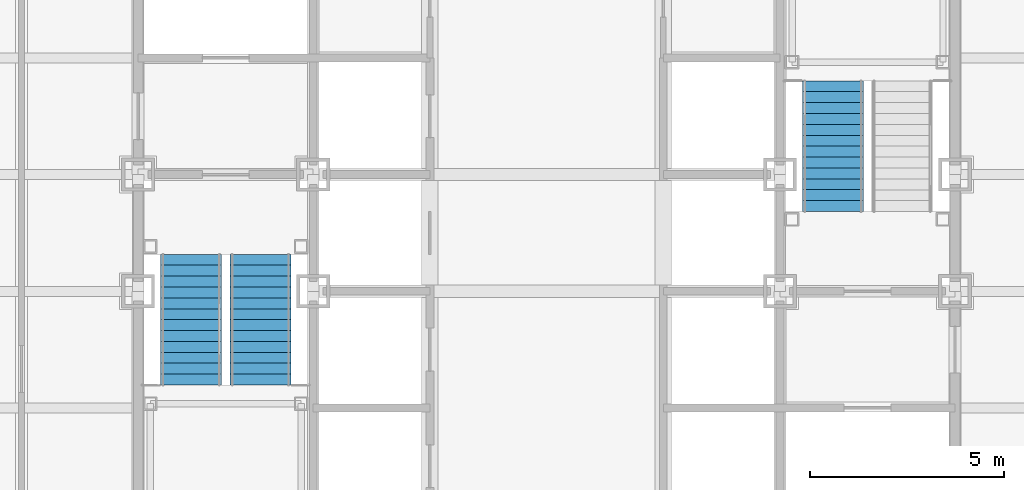
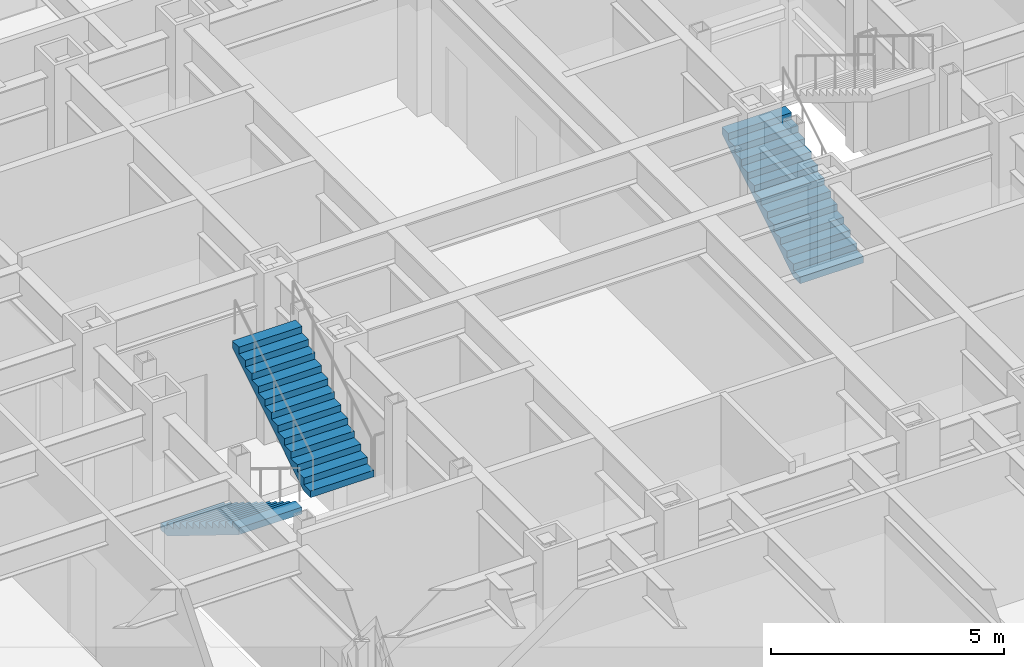
# One storey, part 12 of 16: 3 stair flights, 2 elements without a shape of their own.
"""IFC4 building model written with IfcOpenShell, lengths in metres."""

from ifc_helpers import new_model, si_unit, direction, frame, origin, place, context, subcontext, project, spatial, faceted_brep, material, type_object, element, aggregate, save


model = new_model("IFC4")

# Units and contexts
model_context = context("Model", 3, precision=1e-05, world=origin(), true_north=direction((0.0, 1.0)))
body_context = subcontext(model_context, "Body", "Model", "MODEL_VIEW")
ifc_project = project(units=[si_unit("LENGTHUNIT", "METRE"), si_unit("AREAUNIT", "SQUARE_METRE"), si_unit("VOLUMEUNIT", "CUBIC_METRE"), si_unit("PLANEANGLEUNIT", "RADIAN"), si_unit("MASSUNIT", "GRAM", prefix="KILO")], contexts=[model_context])

# Site, building, storey
site_placement = place(None, origin())
site = spatial("IfcSite", under=ifc_project, at=site_placement, CompositionType="ELEMENT")
building_placement = place(site_placement, origin())
building = spatial("IfcBuilding", under=site, at=building_placement, Name="Chuquiago Exchange Tower", CompositionType="ELEMENT")
storey_placement = place(building_placement, frame((0.0, 0.0, 55.800048828125)))
storey = spatial("IfcBuildingStorey", under=building, at=storey_placement, Name="L11", CompositionType="ELEMENT", Elevation=55.800048828125)

# Stair, stair flights
ifc_material_1 = material(Name="Concrete C30/37, precast", Category="concrete")
stair_type_1 = type_object("IfcStairType", Name="ST1 half-turn stair 4500", PredefinedType="HALF_TURN_STAIR", material=ifc_material_1)
stair_1_placement = place(storey_placement, origin())
stair_1 = element("IfcStair", 1, at=stair_1_placement, inside=storey, type_object=stair_type_1, Name="Stair ST1 L11", PredefinedType="HALF_TURN_STAIR")
ifc_material_2 = material(Name="Concrete C30/37, precast", Category="concrete")
stair_flight_type = type_object("IfcStairFlightType", Name="ST-F flight 1570 for 4500 storey", PredefinedType="STRAIGHT", material=ifc_material_2)
stair_flight_1_placement = place(storey_placement, frame((13.360107421875, 21.949951171875, 0.0), z_axis=(0.0, 0.0, 1.0), x_axis=(0.0, -1.0, 0.0)))
stair_flight_1 = element("IfcStairFlight", 2, at=stair_flight_1_placement, type_object=stair_flight_type, Name="ST1 flight 1", NumberOfRisers=13, NumberOfTreads=12, PredefinedType="STRAIGHT", RiserHeight=0.173076923, TreadLength=0.28, context=body_context, shape_type="Brep", body=[
    faceted_brep([(0.0, 0.78515625, 0.0), (0.0, 0.78515625, 0.173095703125), (0.280029296875, 0.78515625, 0.173095703125), (0.280029296875, 0.78515625, 0.34619140625), (0.56005859375, 0.78515625, 0.34619140625), (0.56005859375, 0.78515625, 0.519287109375), (0.840087890625, 0.78515625, 0.519287109375), (0.840087890625, 0.78515625, 0.6923828125), (1.1201171875, 0.78515625, 0.6923828125), (1.1201171875, 0.78515625, 0.865478515625), (1.39990234375, 0.78515625, 0.865478515625), (1.39990234375, 0.78515625, 1.03857421875), (1.679931640625, 0.78515625, 1.03857421875), (1.679931640625, 0.78515625, 1.21142578125), (1.9599609375, 0.78515625, 1.21142578125), (1.9599609375, 0.78515625, 1.384521484375), (2.239990234375, 0.78515625, 1.384521484375), (2.239990234375, 0.78515625, 1.5576171875), (2.52001953125, 0.78515625, 1.5576171875), (2.52001953125, 0.78515625, 1.730712890625), (2.800048828125, 0.78515625, 1.730712890625), (2.800048828125, 0.78515625, 1.90380859375), (3.080078125, 0.78515625, 1.90380859375), (3.080078125, 0.78515625, 2.076904296875), (3.360107421875, 0.78515625, 2.076904296875), (3.360107421875, 0.78515625, 1.900634765625), (0.28515625, 0.78515625, 0.0), (0.28515625, -0.78515625, 0.0), (3.360107421875, -0.78515625, 1.900634765625), (3.360107421875, -0.78515625, 2.076904296875), (3.080078125, -0.78515625, 2.076904296875), (3.080078125, -0.78515625, 1.90380859375), (2.800048828125, -0.78515625, 1.90380859375), (2.800048828125, -0.78515625, 1.730712890625), (2.52001953125, -0.78515625, 1.730712890625), (2.52001953125, -0.78515625, 1.5576171875), (2.239990234375, -0.78515625, 1.5576171875), (2.239990234375, -0.78515625, 1.384521484375), (1.9599609375, -0.78515625, 1.384521484375), (1.9599609375, -0.78515625, 1.21142578125), (1.679931640625, -0.78515625, 1.21142578125), (1.679931640625, -0.78515625, 1.03857421875), (1.39990234375, -0.78515625, 1.03857421875), (1.39990234375, -0.78515625, 0.865478515625), (1.1201171875, -0.78515625, 0.865478515625), (1.1201171875, -0.78515625, 0.6923828125), (0.840087890625, -0.78515625, 0.6923828125), (0.840087890625, -0.78515625, 0.519287109375), (0.56005859375, -0.78515625, 0.519287109375), (0.56005859375, -0.78515625, 0.34619140625), (0.280029296875, -0.78515625, 0.34619140625), (0.280029296875, -0.78515625, 0.173095703125), (0.0, -0.78515625, 0.173095703125), (0.0, -0.78515625, 0.0), (0.0, 0.392578125, 0.0), (0.0, 0.392578125, 0.173095703125), (0.0, 0.0, 0.0), (0.0, 0.0, 0.173095703125), (0.0, -0.392578125, 0.0), (0.0, -0.392578125, 0.173095703125), (0.280029296875, 0.392578125, 0.173095703125), (0.280029296875, 0.0, 0.173095703125), (0.280029296875, -0.392578125, 0.173095703125), (0.280029296875, 0.392578125, 0.34619140625), (0.280029296875, 0.0, 0.34619140625), (0.280029296875, -0.392578125, 0.34619140625), (0.56005859375, 0.392578125, 0.34619140625), (0.56005859375, 0.0, 0.34619140625), (0.56005859375, -0.392578125, 0.34619140625), (0.56005859375, 0.392578125, 0.519287109375), (0.56005859375, 0.0, 0.519287109375), (0.56005859375, -0.392578125, 0.519287109375), (0.840087890625, 0.392578125, 0.519287109375), (0.840087890625, 0.0, 0.519287109375), (0.840087890625, -0.392578125, 0.519287109375), (0.840087890625, 0.392578125, 0.6923828125), (0.840087890625, 0.0, 0.6923828125), (0.840087890625, -0.392578125, 0.6923828125), (1.1201171875, 0.392578125, 0.6923828125), (1.1201171875, 0.0, 0.6923828125), (1.1201171875, -0.392578125, 0.6923828125), (1.1201171875, 0.392578125, 0.865478515625), (1.1201171875, 0.0, 0.865478515625), (1.1201171875, -0.392578125, 0.865478515625), (1.39990234375, 0.392578125, 0.865478515625), (1.39990234375, 0.0, 0.865478515625), (1.39990234375, -0.392578125, 0.865478515625), (1.39990234375, 0.392578125, 1.03857421875), (1.39990234375, 0.0, 1.03857421875), (1.39990234375, -0.392578125, 1.03857421875), (1.679931640625, 0.392578125, 1.03857421875), (1.679931640625, 0.0, 1.03857421875), (1.679931640625, -0.392578125, 1.03857421875), (1.679931640625, 0.392578125, 1.21142578125), (1.679931640625, 0.0, 1.21142578125), (1.679931640625, -0.392578125, 1.21142578125), (1.9599609375, 0.392578125, 1.21142578125), (1.9599609375, 0.0, 1.21142578125), (1.9599609375, -0.392578125, 1.21142578125), (1.9599609375, 0.392578125, 1.384521484375), (1.9599609375, 0.0, 1.384521484375), (1.9599609375, -0.392578125, 1.384521484375), (2.239990234375, 0.392578125, 1.384521484375), (2.239990234375, 0.0, 1.384521484375), (2.239990234375, -0.392578125, 1.384521484375), (2.239990234375, 0.392578125, 1.5576171875), (2.239990234375, 0.0, 1.5576171875), (2.239990234375, -0.392578125, 1.5576171875), (2.52001953125, 0.392578125, 1.5576171875), (2.52001953125, 0.0, 1.5576171875), (2.52001953125, -0.392578125, 1.5576171875), (2.52001953125, 0.392578125, 1.730712890625), (2.52001953125, 0.0, 1.730712890625), (2.52001953125, -0.392578125, 1.730712890625), (2.800048828125, 0.392578125, 1.730712890625), (2.800048828125, 0.0, 1.730712890625), (2.800048828125, -0.392578125, 1.730712890625), (2.800048828125, 0.392578125, 1.90380859375), (2.800048828125, 0.0, 1.90380859375), (2.800048828125, -0.392578125, 1.90380859375), (3.080078125, 0.392578125, 1.90380859375), (3.080078125, 0.0, 1.90380859375), (3.080078125, -0.392578125, 1.90380859375), (3.080078125, 0.392578125, 2.076904296875), (3.080078125, 0.0, 2.076904296875), (3.080078125, -0.392578125, 2.076904296875), (3.360107421875, 0.392578125, 2.076904296875), (3.360107421875, 0.0, 2.076904296875), (3.360107421875, -0.392578125, 2.076904296875), (3.360107421875, 0.392578125, 1.900634765625), (3.360107421875, 0.0, 1.900634765625), (3.360107421875, -0.392578125, 1.900634765625), (0.28515625, 0.392578125, 0.0), (0.28515625, 0.0, 0.0), (0.28515625, -0.392578125, 0.0)], [[[0, 1, 2, 3, 4, 5, 6, 7, 8, 9, 10, 11, 12, 13, 14, 15, 16, 17, 18, 19, 20, 21, 22, 23, 24, 25, 26]], [[27, 28, 29, 30, 31, 32, 33, 34, 35, 36, 37, 38, 39, 40, 41, 42, 43, 44, 45, 46, 47, 48, 49, 50, 51, 52, 53]], [[1, 0, 54, 55]], [[55, 54, 56, 57]], [[57, 56, 58, 59]], [[59, 58, 53, 52]], [[2, 1, 55, 60]], [[60, 55, 57, 61]], [[61, 57, 59, 62]], [[62, 59, 52, 51]], [[3, 2, 60, 63]], [[63, 60, 61, 64]], [[64, 61, 62, 65]], [[65, 62, 51, 50]], [[4, 3, 63, 66]], [[66, 63, 64, 67]], [[67, 64, 65, 68]], [[68, 65, 50, 49]], [[5, 4, 66, 69]], [[69, 66, 67, 70]], [[70, 67, 68, 71]], [[71, 68, 49, 48]], [[6, 5, 69, 72]], [[72, 69, 70, 73]], [[73, 70, 71, 74]], [[74, 71, 48, 47]], [[7, 6, 72, 75]], [[75, 72, 73, 76]], [[76, 73, 74, 77]], [[77, 74, 47, 46]], [[8, 7, 75, 78]], [[78, 75, 76, 79]], [[79, 76, 77, 80]], [[80, 77, 46, 45]], [[9, 8, 78, 81]], [[81, 78, 79, 82]], [[82, 79, 80, 83]], [[83, 80, 45, 44]], [[10, 9, 81, 84]], [[84, 81, 82, 85]], [[85, 82, 83, 86]], [[86, 83, 44, 43]], [[11, 10, 84, 87]], [[87, 84, 85, 88]], [[88, 85, 86, 89]], [[89, 86, 43, 42]], [[12, 11, 87, 90]], [[90, 87, 88, 91]], [[91, 88, 89, 92]], [[92, 89, 42, 41]], [[13, 12, 90, 93]], [[93, 90, 91, 94]], [[94, 91, 92, 95]], [[95, 92, 41, 40]], [[14, 13, 93, 96]], [[96, 93, 94, 97]], [[97, 94, 95, 98]], [[98, 95, 40, 39]], [[15, 14, 96, 99]], [[99, 96, 97, 100]], [[100, 97, 98, 101]], [[101, 98, 39, 38]], [[16, 15, 99, 102]], [[102, 99, 100, 103]], [[103, 100, 101, 104]], [[104, 101, 38, 37]], [[17, 16, 102, 105]], [[105, 102, 103, 106]], [[106, 103, 104, 107]], [[107, 104, 37, 36]], [[18, 17, 105, 108]], [[108, 105, 106, 109]], [[109, 106, 107, 110]], [[110, 107, 36, 35]], [[19, 18, 108, 111]], [[111, 108, 109, 112]], [[112, 109, 110, 113]], [[113, 110, 35, 34]], [[20, 19, 111, 114]], [[114, 111, 112, 115]], [[115, 112, 113, 116]], [[116, 113, 34, 33]], [[21, 20, 114, 117]], [[117, 114, 115, 118]], [[118, 115, 116, 119]], [[119, 116, 33, 32]], [[22, 21, 117, 120]], [[120, 117, 118, 121]], [[121, 118, 119, 122]], [[122, 119, 32, 31]], [[23, 22, 120, 123]], [[123, 120, 121, 124]], [[124, 121, 122, 125]], [[125, 122, 31, 30]], [[24, 23, 123, 126]], [[126, 123, 124, 127]], [[127, 124, 125, 128]], [[128, 125, 30, 29]], [[25, 24, 126, 129]], [[129, 126, 127, 130]], [[130, 127, 128, 131]], [[131, 128, 29, 28]], [[26, 25, 129, 132]], [[132, 129, 130, 133]], [[133, 130, 131, 134]], [[134, 131, 28, 27]], [[0, 26, 132, 54]], [[54, 132, 133, 56]], [[56, 133, 134, 58]], [[58, 134, 27, 53]]]),
])
stair_flight_2_placement = place(storey_placement, frame((15.139892578125, 18.590087890625, 2.25), z_axis=(0.0, 0.0, 1.0), x_axis=(0.0, 1.0, 0.0)))
stair_flight_2 = element("IfcStairFlight", 3, at=stair_flight_2_placement, type_object=stair_flight_type, Name="ST1 flight 2", NumberOfRisers=13, NumberOfTreads=12, PredefinedType="STRAIGHT", RiserHeight=0.173076923, TreadLength=0.28, context=body_context, shape_type="Brep", body=[
    faceted_brep([(0.0, 0.78515625, 0.0), (0.0, 0.78515625, 0.173095703125), (0.280029296875, 0.78515625, 0.173095703125), (0.280029296875, 0.78515625, 0.34619140625), (0.56005859375, 0.78515625, 0.34619140625), (0.56005859375, 0.78515625, 0.519287109375), (0.840087890625, 0.78515625, 0.519287109375), (0.840087890625, 0.78515625, 0.6923828125), (1.1201171875, 0.78515625, 0.6923828125), (1.1201171875, 0.78515625, 0.865478515625), (1.39990234375, 0.78515625, 0.865478515625), (1.39990234375, 0.78515625, 1.03857421875), (1.679931640625, 0.78515625, 1.03857421875), (1.679931640625, 0.78515625, 1.21142578125), (1.9599609375, 0.78515625, 1.21142578125), (1.9599609375, 0.78515625, 1.384521484375), (2.239990234375, 0.78515625, 1.384521484375), (2.239990234375, 0.78515625, 1.5576171875), (2.52001953125, 0.78515625, 1.5576171875), (2.52001953125, 0.78515625, 1.730712890625), (2.800048828125, 0.78515625, 1.730712890625), (2.800048828125, 0.78515625, 1.90380859375), (3.080078125, 0.78515625, 1.90380859375), (3.080078125, 0.78515625, 2.076904296875), (3.360107421875, 0.78515625, 2.076904296875), (3.360107421875, 0.78515625, 1.900634765625), (0.28515625, 0.78515625, 0.0), (0.28515625, -0.78515625, 0.0), (3.360107421875, -0.78515625, 1.900634765625), (3.360107421875, -0.78515625, 2.076904296875), (3.080078125, -0.78515625, 2.076904296875), (3.080078125, -0.78515625, 1.90380859375), (2.800048828125, -0.78515625, 1.90380859375), (2.800048828125, -0.78515625, 1.730712890625), (2.52001953125, -0.78515625, 1.730712890625), (2.52001953125, -0.78515625, 1.5576171875), (2.239990234375, -0.78515625, 1.5576171875), (2.239990234375, -0.78515625, 1.384521484375), (1.9599609375, -0.78515625, 1.384521484375), (1.9599609375, -0.78515625, 1.21142578125), (1.679931640625, -0.78515625, 1.21142578125), (1.679931640625, -0.78515625, 1.03857421875), (1.39990234375, -0.78515625, 1.03857421875), (1.39990234375, -0.78515625, 0.865478515625), (1.1201171875, -0.78515625, 0.865478515625), (1.1201171875, -0.78515625, 0.6923828125), (0.840087890625, -0.78515625, 0.6923828125), (0.840087890625, -0.78515625, 0.519287109375), (0.56005859375, -0.78515625, 0.519287109375), (0.56005859375, -0.78515625, 0.34619140625), (0.280029296875, -0.78515625, 0.34619140625), (0.280029296875, -0.78515625, 0.173095703125), (0.0, -0.78515625, 0.173095703125), (0.0, -0.78515625, 0.0), (0.0, 0.392578125, 0.0), (0.0, 0.392578125, 0.173095703125), (0.0, 0.0, 0.0), (0.0, 0.0, 0.173095703125), (0.0, -0.392578125, 0.0), (0.0, -0.392578125, 0.173095703125), (0.280029296875, 0.392578125, 0.173095703125), (0.280029296875, 0.0, 0.173095703125), (0.280029296875, -0.392578125, 0.173095703125), (0.280029296875, 0.392578125, 0.34619140625), (0.280029296875, 0.0, 0.34619140625), (0.280029296875, -0.392578125, 0.34619140625), (0.56005859375, 0.392578125, 0.34619140625), (0.56005859375, 0.0, 0.34619140625), (0.56005859375, -0.392578125, 0.34619140625), (0.56005859375, 0.392578125, 0.519287109375), (0.56005859375, 0.0, 0.519287109375), (0.56005859375, -0.392578125, 0.519287109375), (0.840087890625, 0.392578125, 0.519287109375), (0.840087890625, 0.0, 0.519287109375), (0.840087890625, -0.392578125, 0.519287109375), (0.840087890625, 0.392578125, 0.6923828125), (0.840087890625, 0.0, 0.6923828125), (0.840087890625, -0.392578125, 0.6923828125), (1.1201171875, 0.392578125, 0.6923828125), (1.1201171875, 0.0, 0.6923828125), (1.1201171875, -0.392578125, 0.6923828125), (1.1201171875, 0.392578125, 0.865478515625), (1.1201171875, 0.0, 0.865478515625), (1.1201171875, -0.392578125, 0.865478515625), (1.39990234375, 0.392578125, 0.865478515625), (1.39990234375, 0.0, 0.865478515625), (1.39990234375, -0.392578125, 0.865478515625), (1.39990234375, 0.392578125, 1.03857421875), (1.39990234375, 0.0, 1.03857421875), (1.39990234375, -0.392578125, 1.03857421875), (1.679931640625, 0.392578125, 1.03857421875), (1.679931640625, 0.0, 1.03857421875), (1.679931640625, -0.392578125, 1.03857421875), (1.679931640625, 0.392578125, 1.21142578125), (1.679931640625, 0.0, 1.21142578125), (1.679931640625, -0.392578125, 1.21142578125), (1.9599609375, 0.392578125, 1.21142578125), (1.9599609375, 0.0, 1.21142578125), (1.9599609375, -0.392578125, 1.21142578125), (1.9599609375, 0.392578125, 1.384521484375), (1.9599609375, 0.0, 1.384521484375), (1.9599609375, -0.392578125, 1.384521484375), (2.239990234375, 0.392578125, 1.384521484375), (2.239990234375, 0.0, 1.384521484375), (2.239990234375, -0.392578125, 1.384521484375), (2.239990234375, 0.392578125, 1.5576171875), (2.239990234375, 0.0, 1.5576171875), (2.239990234375, -0.392578125, 1.5576171875), (2.52001953125, 0.392578125, 1.5576171875), (2.52001953125, 0.0, 1.5576171875), (2.52001953125, -0.392578125, 1.5576171875), (2.52001953125, 0.392578125, 1.730712890625), (2.52001953125, 0.0, 1.730712890625), (2.52001953125, -0.392578125, 1.730712890625), (2.800048828125, 0.392578125, 1.730712890625), (2.800048828125, 0.0, 1.730712890625), (2.800048828125, -0.392578125, 1.730712890625), (2.800048828125, 0.392578125, 1.90380859375), (2.800048828125, 0.0, 1.90380859375), (2.800048828125, -0.392578125, 1.90380859375), (3.080078125, 0.392578125, 1.90380859375), (3.080078125, 0.0, 1.90380859375), (3.080078125, -0.392578125, 1.90380859375), (3.080078125, 0.392578125, 2.076904296875), (3.080078125, 0.0, 2.076904296875), (3.080078125, -0.392578125, 2.076904296875), (3.360107421875, 0.392578125, 2.076904296875), (3.360107421875, 0.0, 2.076904296875), (3.360107421875, -0.392578125, 2.076904296875), (3.360107421875, 0.392578125, 1.900634765625), (3.360107421875, 0.0, 1.900634765625), (3.360107421875, -0.392578125, 1.900634765625), (0.28515625, 0.392578125, 0.0), (0.28515625, 0.0, 0.0), (0.28515625, -0.392578125, 0.0)], [[[0, 1, 2, 3, 4, 5, 6, 7, 8, 9, 10, 11, 12, 13, 14, 15, 16, 17, 18, 19, 20, 21, 22, 23, 24, 25, 26]], [[27, 28, 29, 30, 31, 32, 33, 34, 35, 36, 37, 38, 39, 40, 41, 42, 43, 44, 45, 46, 47, 48, 49, 50, 51, 52, 53]], [[1, 0, 54, 55]], [[55, 54, 56, 57]], [[57, 56, 58, 59]], [[59, 58, 53, 52]], [[2, 1, 55, 60]], [[60, 55, 57, 61]], [[61, 57, 59, 62]], [[62, 59, 52, 51]], [[3, 2, 60, 63]], [[63, 60, 61, 64]], [[64, 61, 62, 65]], [[65, 62, 51, 50]], [[4, 3, 63, 66]], [[66, 63, 64, 67]], [[67, 64, 65, 68]], [[68, 65, 50, 49]], [[5, 4, 66, 69]], [[69, 66, 67, 70]], [[70, 67, 68, 71]], [[71, 68, 49, 48]], [[6, 5, 69, 72]], [[72, 69, 70, 73]], [[73, 70, 71, 74]], [[74, 71, 48, 47]], [[7, 6, 72, 75]], [[75, 72, 73, 76]], [[76, 73, 74, 77]], [[77, 74, 47, 46]], [[8, 7, 75, 78]], [[78, 75, 76, 79]], [[79, 76, 77, 80]], [[80, 77, 46, 45]], [[9, 8, 78, 81]], [[81, 78, 79, 82]], [[82, 79, 80, 83]], [[83, 80, 45, 44]], [[10, 9, 81, 84]], [[84, 81, 82, 85]], [[85, 82, 83, 86]], [[86, 83, 44, 43]], [[11, 10, 84, 87]], [[87, 84, 85, 88]], [[88, 85, 86, 89]], [[89, 86, 43, 42]], [[12, 11, 87, 90]], [[90, 87, 88, 91]], [[91, 88, 89, 92]], [[92, 89, 42, 41]], [[13, 12, 90, 93]], [[93, 90, 91, 94]], [[94, 91, 92, 95]], [[95, 92, 41, 40]], [[14, 13, 93, 96]], [[96, 93, 94, 97]], [[97, 94, 95, 98]], [[98, 95, 40, 39]], [[15, 14, 96, 99]], [[99, 96, 97, 100]], [[100, 97, 98, 101]], [[101, 98, 39, 38]], [[16, 15, 99, 102]], [[102, 99, 100, 103]], [[103, 100, 101, 104]], [[104, 101, 38, 37]], [[17, 16, 102, 105]], [[105, 102, 103, 106]], [[106, 103, 104, 107]], [[107, 104, 37, 36]], [[18, 17, 105, 108]], [[108, 105, 106, 109]], [[109, 106, 107, 110]], [[110, 107, 36, 35]], [[19, 18, 108, 111]], [[111, 108, 109, 112]], [[112, 109, 110, 113]], [[113, 110, 35, 34]], [[20, 19, 111, 114]], [[114, 111, 112, 115]], [[115, 112, 113, 116]], [[116, 113, 34, 33]], [[21, 20, 114, 117]], [[117, 114, 115, 118]], [[118, 115, 116, 119]], [[119, 116, 33, 32]], [[22, 21, 117, 120]], [[120, 117, 118, 121]], [[121, 118, 119, 122]], [[122, 119, 32, 31]], [[23, 22, 120, 123]], [[123, 120, 121, 124]], [[124, 121, 122, 125]], [[125, 122, 31, 30]], [[24, 23, 123, 126]], [[126, 123, 124, 127]], [[127, 124, 125, 128]], [[128, 125, 30, 29]], [[25, 24, 126, 129]], [[129, 126, 127, 130]], [[130, 127, 128, 131]], [[131, 128, 29, 28]], [[26, 25, 129, 132]], [[132, 129, 130, 133]], [[133, 130, 131, 134]], [[134, 131, 28, 27]], [[0, 26, 132, 54]], [[54, 132, 133, 56]], [[56, 133, 134, 58]], [[58, 134, 27, 53]]]),
])
aggregate(stair_1, [stair_flight_1, stair_flight_2])

# Stair, stair flight
ifc_material_3 = material(Name="Concrete C30/37, precast", Category="concrete")
stair_type_2 = type_object("IfcStairType", Name="ST2 half-turn stair 4500", PredefinedType="HALF_TURN_STAIR", material=ifc_material_3)
stair_2_placement = place(storey_placement, origin())
stair_2 = element("IfcStair", 4, at=stair_2_placement, inside=storey, type_object=stair_type_2, Name="Stair ST2 L11", PredefinedType="HALF_TURN_STAIR")
stair_flight_3_placement = place(storey_placement, frame((29.860107421875, 23.050048828125, 0.0), z_axis=(0.0, 0.0, 1.0), x_axis=(0.0, 1.0, 0.0)))
stair_flight_3 = element("IfcStairFlight", 5, at=stair_flight_3_placement, type_object=stair_flight_type, Name="ST2 flight 1", NumberOfRisers=13, NumberOfTreads=12, PredefinedType="STRAIGHT", RiserHeight=0.173076923, TreadLength=0.28, context=body_context, shape_type="Brep", body=[
    faceted_brep([(0.0, 0.78515625, 0.0), (0.0, 0.78515625, 0.173095703125), (0.280029296875, 0.78515625, 0.173095703125), (0.280029296875, 0.78515625, 0.34619140625), (0.56005859375, 0.78515625, 0.34619140625), (0.56005859375, 0.78515625, 0.519287109375), (0.840087890625, 0.78515625, 0.519287109375), (0.840087890625, 0.78515625, 0.6923828125), (1.1201171875, 0.78515625, 0.6923828125), (1.1201171875, 0.78515625, 0.865478515625), (1.39990234375, 0.78515625, 0.865478515625), (1.39990234375, 0.78515625, 1.03857421875), (1.679931640625, 0.78515625, 1.03857421875), (1.679931640625, 0.78515625, 1.21142578125), (1.9599609375, 0.78515625, 1.21142578125), (1.9599609375, 0.78515625, 1.384521484375), (2.239990234375, 0.78515625, 1.384521484375), (2.239990234375, 0.78515625, 1.5576171875), (2.52001953125, 0.78515625, 1.5576171875), (2.52001953125, 0.78515625, 1.730712890625), (2.800048828125, 0.78515625, 1.730712890625), (2.800048828125, 0.78515625, 1.90380859375), (3.080078125, 0.78515625, 1.90380859375), (3.080078125, 0.78515625, 2.076904296875), (3.360107421875, 0.78515625, 2.076904296875), (3.360107421875, 0.78515625, 1.900634765625), (0.28515625, 0.78515625, 0.0), (0.28515625, -0.78515625, 0.0), (3.360107421875, -0.78515625, 1.900634765625), (3.360107421875, -0.78515625, 2.076904296875), (3.080078125, -0.78515625, 2.076904296875), (3.080078125, -0.78515625, 1.90380859375), (2.800048828125, -0.78515625, 1.90380859375), (2.800048828125, -0.78515625, 1.730712890625), (2.52001953125, -0.78515625, 1.730712890625), (2.52001953125, -0.78515625, 1.5576171875), (2.239990234375, -0.78515625, 1.5576171875), (2.239990234375, -0.78515625, 1.384521484375), (1.9599609375, -0.78515625, 1.384521484375), (1.9599609375, -0.78515625, 1.21142578125), (1.679931640625, -0.78515625, 1.21142578125), (1.679931640625, -0.78515625, 1.03857421875), (1.39990234375, -0.78515625, 1.03857421875), (1.39990234375, -0.78515625, 0.865478515625), (1.1201171875, -0.78515625, 0.865478515625), (1.1201171875, -0.78515625, 0.6923828125), (0.840087890625, -0.78515625, 0.6923828125), (0.840087890625, -0.78515625, 0.519287109375), (0.56005859375, -0.78515625, 0.519287109375), (0.56005859375, -0.78515625, 0.34619140625), (0.280029296875, -0.78515625, 0.34619140625), (0.280029296875, -0.78515625, 0.173095703125), (0.0, -0.78515625, 0.173095703125), (0.0, -0.78515625, 0.0), (0.0, 0.392578125, 0.0), (0.0, 0.392578125, 0.173095703125), (0.0, 0.0, 0.0), (0.0, 0.0, 0.173095703125), (0.0, -0.392578125, 0.0), (0.0, -0.392578125, 0.173095703125), (0.280029296875, 0.392578125, 0.173095703125), (0.280029296875, 0.0, 0.173095703125), (0.280029296875, -0.392578125, 0.173095703125), (0.280029296875, 0.392578125, 0.34619140625), (0.280029296875, 0.0, 0.34619140625), (0.280029296875, -0.392578125, 0.34619140625), (0.56005859375, 0.392578125, 0.34619140625), (0.56005859375, 0.0, 0.34619140625), (0.56005859375, -0.392578125, 0.34619140625), (0.56005859375, 0.392578125, 0.519287109375), (0.56005859375, 0.0, 0.519287109375), (0.56005859375, -0.392578125, 0.519287109375), (0.840087890625, 0.392578125, 0.519287109375), (0.840087890625, 0.0, 0.519287109375), (0.840087890625, -0.392578125, 0.519287109375), (0.840087890625, 0.392578125, 0.6923828125), (0.840087890625, 0.0, 0.6923828125), (0.840087890625, -0.392578125, 0.6923828125), (1.1201171875, 0.392578125, 0.6923828125), (1.1201171875, 0.0, 0.6923828125), (1.1201171875, -0.392578125, 0.6923828125), (1.1201171875, 0.392578125, 0.865478515625), (1.1201171875, 0.0, 0.865478515625), (1.1201171875, -0.392578125, 0.865478515625), (1.39990234375, 0.392578125, 0.865478515625), (1.39990234375, 0.0, 0.865478515625), (1.39990234375, -0.392578125, 0.865478515625), (1.39990234375, 0.392578125, 1.03857421875), (1.39990234375, 0.0, 1.03857421875), (1.39990234375, -0.392578125, 1.03857421875), (1.679931640625, 0.392578125, 1.03857421875), (1.679931640625, 0.0, 1.03857421875), (1.679931640625, -0.392578125, 1.03857421875), (1.679931640625, 0.392578125, 1.21142578125), (1.679931640625, 0.0, 1.21142578125), (1.679931640625, -0.392578125, 1.21142578125), (1.9599609375, 0.392578125, 1.21142578125), (1.9599609375, 0.0, 1.21142578125), (1.9599609375, -0.392578125, 1.21142578125), (1.9599609375, 0.392578125, 1.384521484375), (1.9599609375, 0.0, 1.384521484375), (1.9599609375, -0.392578125, 1.384521484375), (2.239990234375, 0.392578125, 1.384521484375), (2.239990234375, 0.0, 1.384521484375), (2.239990234375, -0.392578125, 1.384521484375), (2.239990234375, 0.392578125, 1.5576171875), (2.239990234375, 0.0, 1.5576171875), (2.239990234375, -0.392578125, 1.5576171875), (2.52001953125, 0.392578125, 1.5576171875), (2.52001953125, 0.0, 1.5576171875), (2.52001953125, -0.392578125, 1.5576171875), (2.52001953125, 0.392578125, 1.730712890625), (2.52001953125, 0.0, 1.730712890625), (2.52001953125, -0.392578125, 1.730712890625), (2.800048828125, 0.392578125, 1.730712890625), (2.800048828125, 0.0, 1.730712890625), (2.800048828125, -0.392578125, 1.730712890625), (2.800048828125, 0.392578125, 1.90380859375), (2.800048828125, 0.0, 1.90380859375), (2.800048828125, -0.392578125, 1.90380859375), (3.080078125, 0.392578125, 1.90380859375), (3.080078125, 0.0, 1.90380859375), (3.080078125, -0.392578125, 1.90380859375), (3.080078125, 0.392578125, 2.076904296875), (3.080078125, 0.0, 2.076904296875), (3.080078125, -0.392578125, 2.076904296875), (3.360107421875, 0.392578125, 2.076904296875), (3.360107421875, 0.0, 2.076904296875), (3.360107421875, -0.392578125, 2.076904296875), (3.360107421875, 0.392578125, 1.900634765625), (3.360107421875, 0.0, 1.900634765625), (3.360107421875, -0.392578125, 1.900634765625), (0.28515625, 0.392578125, 0.0), (0.28515625, 0.0, 0.0), (0.28515625, -0.392578125, 0.0)], [[[0, 1, 2, 3, 4, 5, 6, 7, 8, 9, 10, 11, 12, 13, 14, 15, 16, 17, 18, 19, 20, 21, 22, 23, 24, 25, 26]], [[27, 28, 29, 30, 31, 32, 33, 34, 35, 36, 37, 38, 39, 40, 41, 42, 43, 44, 45, 46, 47, 48, 49, 50, 51, 52, 53]], [[1, 0, 54, 55]], [[55, 54, 56, 57]], [[57, 56, 58, 59]], [[59, 58, 53, 52]], [[2, 1, 55, 60]], [[60, 55, 57, 61]], [[61, 57, 59, 62]], [[62, 59, 52, 51]], [[3, 2, 60, 63]], [[63, 60, 61, 64]], [[64, 61, 62, 65]], [[65, 62, 51, 50]], [[4, 3, 63, 66]], [[66, 63, 64, 67]], [[67, 64, 65, 68]], [[68, 65, 50, 49]], [[5, 4, 66, 69]], [[69, 66, 67, 70]], [[70, 67, 68, 71]], [[71, 68, 49, 48]], [[6, 5, 69, 72]], [[72, 69, 70, 73]], [[73, 70, 71, 74]], [[74, 71, 48, 47]], [[7, 6, 72, 75]], [[75, 72, 73, 76]], [[76, 73, 74, 77]], [[77, 74, 47, 46]], [[8, 7, 75, 78]], [[78, 75, 76, 79]], [[79, 76, 77, 80]], [[80, 77, 46, 45]], [[9, 8, 78, 81]], [[81, 78, 79, 82]], [[82, 79, 80, 83]], [[83, 80, 45, 44]], [[10, 9, 81, 84]], [[84, 81, 82, 85]], [[85, 82, 83, 86]], [[86, 83, 44, 43]], [[11, 10, 84, 87]], [[87, 84, 85, 88]], [[88, 85, 86, 89]], [[89, 86, 43, 42]], [[12, 11, 87, 90]], [[90, 87, 88, 91]], [[91, 88, 89, 92]], [[92, 89, 42, 41]], [[13, 12, 90, 93]], [[93, 90, 91, 94]], [[94, 91, 92, 95]], [[95, 92, 41, 40]], [[14, 13, 93, 96]], [[96, 93, 94, 97]], [[97, 94, 95, 98]], [[98, 95, 40, 39]], [[15, 14, 96, 99]], [[99, 96, 97, 100]], [[100, 97, 98, 101]], [[101, 98, 39, 38]], [[16, 15, 99, 102]], [[102, 99, 100, 103]], [[103, 100, 101, 104]], [[104, 101, 38, 37]], [[17, 16, 102, 105]], [[105, 102, 103, 106]], [[106, 103, 104, 107]], [[107, 104, 37, 36]], [[18, 17, 105, 108]], [[108, 105, 106, 109]], [[109, 106, 107, 110]], [[110, 107, 36, 35]], [[19, 18, 108, 111]], [[111, 108, 109, 112]], [[112, 109, 110, 113]], [[113, 110, 35, 34]], [[20, 19, 111, 114]], [[114, 111, 112, 115]], [[115, 112, 113, 116]], [[116, 113, 34, 33]], [[21, 20, 114, 117]], [[117, 114, 115, 118]], [[118, 115, 116, 119]], [[119, 116, 33, 32]], [[22, 21, 117, 120]], [[120, 117, 118, 121]], [[121, 118, 119, 122]], [[122, 119, 32, 31]], [[23, 22, 120, 123]], [[123, 120, 121, 124]], [[124, 121, 122, 125]], [[125, 122, 31, 30]], [[24, 23, 123, 126]], [[126, 123, 124, 127]], [[127, 124, 125, 128]], [[128, 125, 30, 29]], [[25, 24, 126, 129]], [[129, 126, 127, 130]], [[130, 127, 128, 131]], [[131, 128, 29, 28]], [[26, 25, 129, 132]], [[132, 129, 130, 133]], [[133, 130, 131, 134]], [[134, 131, 28, 27]], [[0, 26, 132, 54]], [[54, 132, 133, 56]], [[56, 133, 134, 58]], [[58, 134, 27, 53]]]),
])
aggregate(stair_2, [stair_flight_3])

save(model, "model.ifc")
